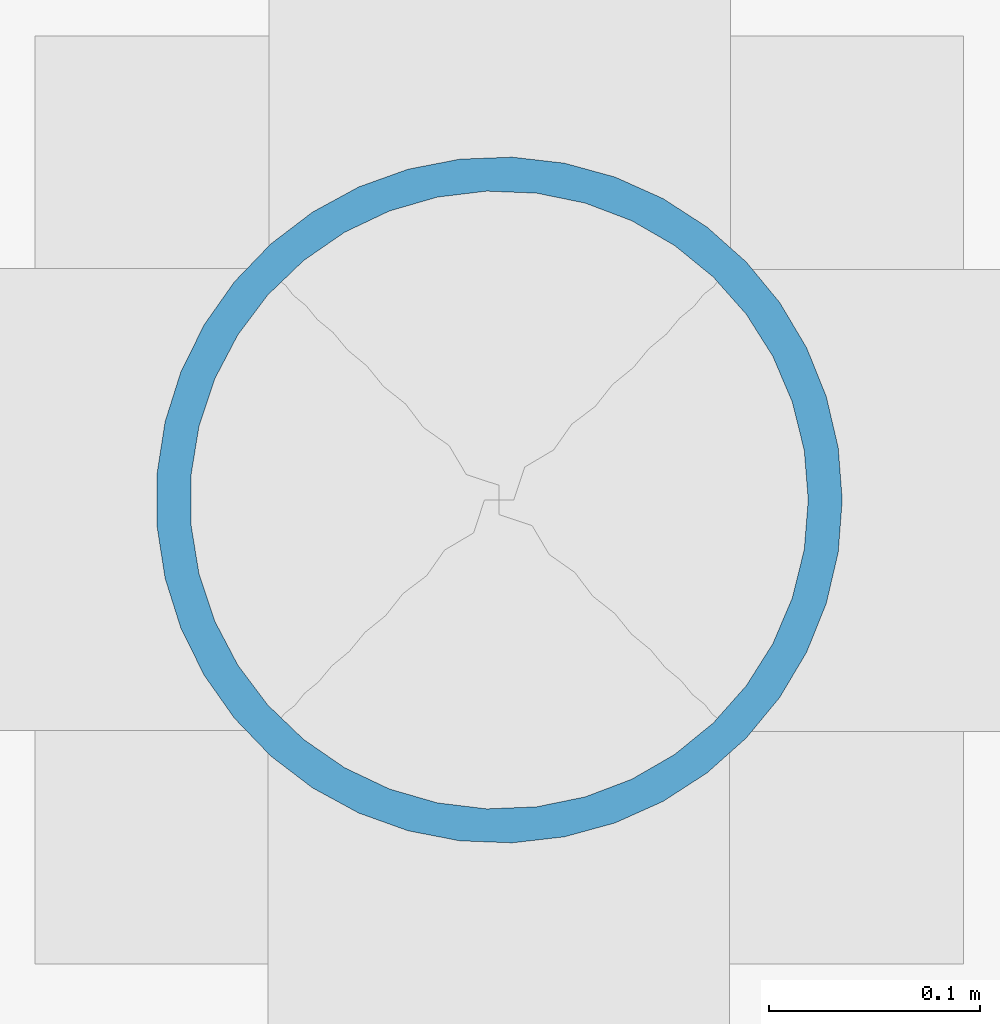
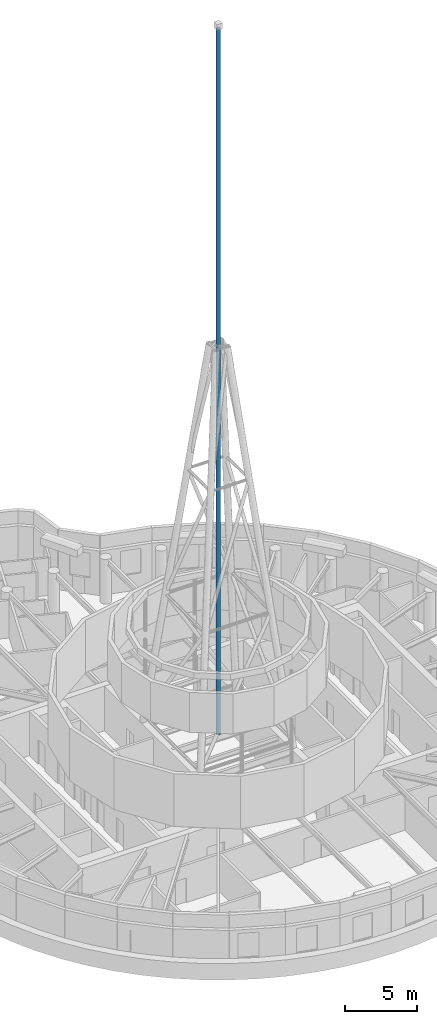
# One storey, part 4 of 17: 1 member.
"""IFC4 building model written with IfcOpenShell, lengths in metres."""

from ifc_helpers import new_model, si_unit, direction, frame, origin, origin_2d, place, context, subcontext, project, spatial, hollow_circle, extrude, material, material_profile, profile_set, type_object, element, save


model = new_model("IFC4")

# Units and contexts
model_context = context("Model", 3, precision=1e-05, world=origin(), true_north=direction((0.0, 1.0)))
body_context = subcontext(model_context, "Body", "Model", "MODEL_VIEW")
ifc_project = project(units=[si_unit("LENGTHUNIT", "METRE"), si_unit("AREAUNIT", "SQUARE_METRE"), si_unit("VOLUMEUNIT", "CUBIC_METRE"), si_unit("PLANEANGLEUNIT", "RADIAN"), si_unit("MASSUNIT", "GRAM", prefix="KILO")], contexts=[model_context])

# Site, building, storey
site_placement = place(None, origin())
site = spatial("IfcSite", under=ifc_project, at=site_placement, CompositionType="ELEMENT")
building_placement = place(site_placement, origin())
building = spatial("IfcBuilding", under=site, at=building_placement, Name="Tamarind Cross Interchange Tower", CompositionType="ELEMENT")
storey_placement = place(building_placement, frame((0.0, 0.0, 325.39990234375)))
storey = spatial("IfcBuildingStorey", under=building, at=storey_placement, Name="L80", CompositionType="ELEMENT", Elevation=325.39990234375)

# Member
ifc_material = material(Name="Steel Q355B", Category="steel")
ifc_material_profile = material_profile(ifc_material, hollow_circle(Radius=0.16259765625, WallThickness=0.01611328125, at=origin_2d()), Name="CHS 325x16")
ifc_profile_set = profile_set([ifc_material_profile], Name="Steel Q355B")
member_type = type_object("IfcMemberType", Name="Spire mast CHS 325x16 Q355B", PredefinedType="POST", material=ifc_profile_set)
member_placement = place(storey_placement, frame((0.0, 0.0, 3.800048828125), z_axis=(0.0, 0.0, 1.0), x_axis=(1.0, 0.0, 0.0)))
element("IfcMember", 1, at=member_placement, inside=storey, type_object=member_type, Name="Spire mast 37", PredefinedType="POST", context=body_context, shape_type="SweptSolid", body=[
    extrude(hollow_circle(Radius=0.16259765625, WallThickness=0.01611328125, at=origin_2d()), origin(), (0.0, 0.0, 1.0), 60.199951171875),
])

save(model, "model.ifc")
